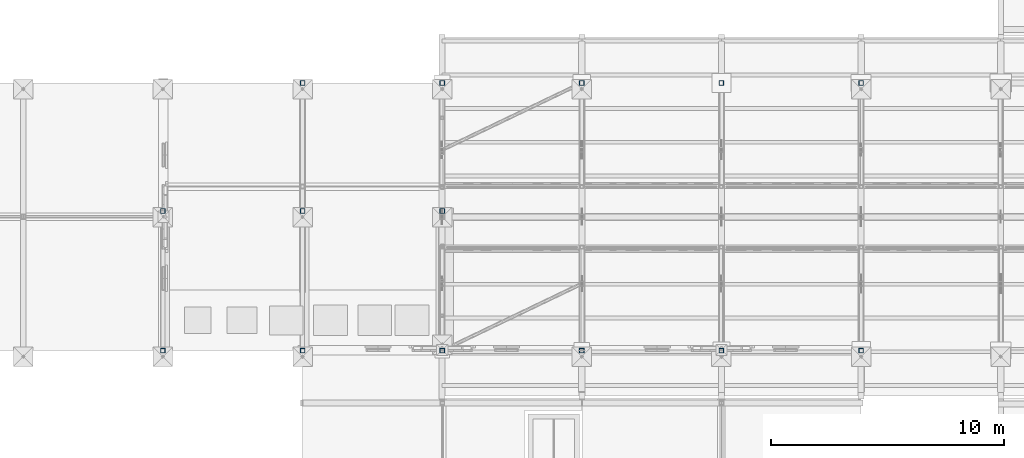
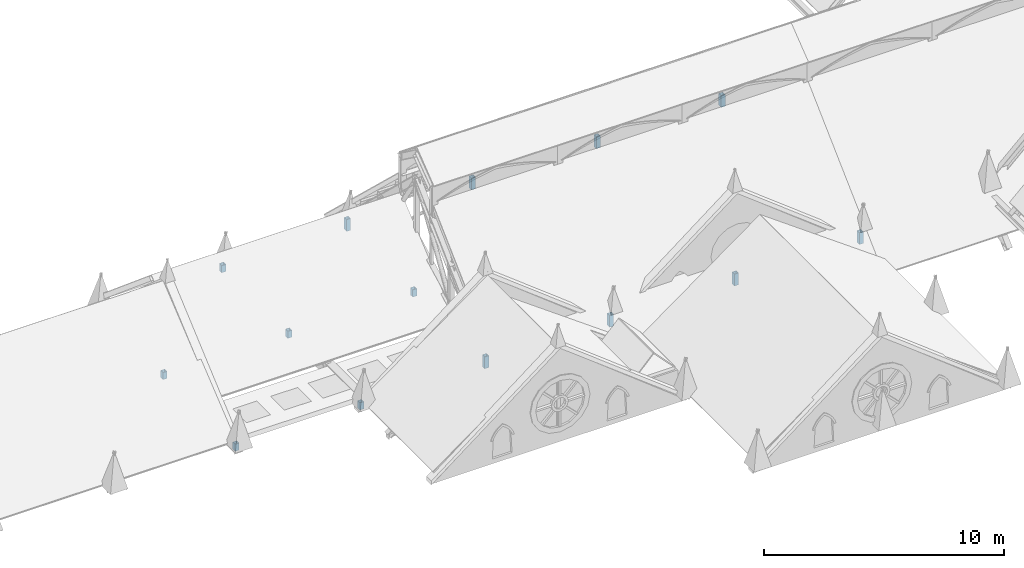
# One storey, part 13 of 33: 14 members.
"""IFC4 building model written with IfcOpenShell, lengths in metres."""

from ifc_helpers import new_model, si_unit, direction, frame, origin, origin_2d, place, context, subcontext, project, spatial, hollow_rectangle, extrude, material, material_profile, profile_set, type_object, element, save


model = new_model("IFC4")

# Units and contexts
model_context = context("Model", 3, precision=1e-05, world=origin(), true_north=direction((0.0, 1.0)))
body_context = subcontext(model_context, "Body", "Model", "MODEL_VIEW")
ifc_project = project(units=[si_unit("LENGTHUNIT", "METRE"), si_unit("AREAUNIT", "SQUARE_METRE"), si_unit("VOLUMEUNIT", "CUBIC_METRE"), si_unit("PLANEANGLEUNIT", "RADIAN"), si_unit("MASSUNIT", "GRAM", prefix="KILO")], contexts=[model_context])

# Site, building, storey
site_placement = place(None, origin())
site = spatial("IfcSite", under=ifc_project, at=site_placement, CompositionType="ELEMENT")
building_placement = place(site_placement, origin())
building = spatial("IfcBuilding", under=site, at=building_placement, Name="Cumevento Cable Car Station", CompositionType="ELEMENT")
storey_placement = place(building_placement, frame((0.0, 0.0, 22.5)))
storey = spatial("IfcBuildingStorey", under=building, at=storey_placement, Name="RF", CompositionType="ELEMENT", Elevation=22.5)

# Members
ifc_material = material(Name="Steel ASTM A572 Grade 50", Category="steel")
ifc_material_profile = material_profile(ifc_material, hollow_rectangle(XDim=0.199951171875, YDim=0.199951171875, WallThickness=0.012451171875, at=origin_2d()), Name="HSS200x200x12.5")
ifc_profile_set = profile_set([ifc_material_profile], Name="Steel ASTM A572 Grade 50")
member_type = type_object("IfcMemberType", Name="Framing Post TD-03 HSS200x200x12.5", PredefinedType="POST", material=ifc_profile_set)
for number, where, z_axis, x_axis, name in (
    (1, (64.0, 45.0, 0.0), (0.0, 0.0, 1.0), (1.0, 0.0, 0.0), "Boarding Hall Truss Heel Post #1"),
    (2, (64.0, 56.5, 0.0), (0.0, 0.0, 1.0), (1.0, 0.0, 0.0), "Boarding Hall Truss Heel Post #2"),
    (3, (70.0, 45.0, 0.0), (0.0, 0.0, 1.0), (1.0, 0.0, 0.0), "Boarding Hall Truss Heel Post #28"),
    (4, (70.0, 56.5, 0.0), (0.0, 0.0, 1.0), (1.0, 0.0, 0.0), "Boarding Hall Truss Heel Post #29"),
    (5, (76.0, 45.0, 0.0), (0.0, 0.0, 1.0), (1.0, 0.0, 0.0), "Boarding Hall Truss Heel Post #51"),
    (6, (76.0, 56.5, 0.0), (0.0, 0.0, 1.0), (1.0, 0.0, 0.0), "Boarding Hall Truss Heel Post #52"),
    (7, (82.0, 45.0, 0.0), (0.0, 0.0, 1.0), (1.0, 0.0, 0.0), "Boarding Hall Truss Heel Post #74"),
    (8, (82.0, 56.5, 0.0), (0.0, 0.0, 1.0), (1.0, 0.0, 0.0), "Boarding Hall Truss Heel Post #75"),
):
    element("IfcMember", number, at=place(storey_placement, frame(where, z_axis=z_axis, x_axis=x_axis)), inside=storey, type_object=member_type, Name=name, PredefinedType="POST", context=body_context, shape_type="SweptSolid", body=[
        extrude(hollow_rectangle(XDim=0.199951171875, YDim=0.199951171875, WallThickness=0.012451171875, at=origin_2d()), origin(), (0.0, 0.0, 1.0), 0.60009765625),
    ])
for number, where, z_axis, x_axis, name in (
    (9, (52.0, 45.0, 0.0), (0.0, 0.0, 1.0), (1.0, 0.0, 0.0), "Monitor Stub Post #750"),
    (10, (52.0, 51.0, 0.0), (0.0, 0.0, 1.0), (1.0, 0.0, 0.0), "Monitor Stub Post #751"),
    (11, (58.0, 45.0, 0.0), (0.0, 0.0, 1.0), (1.0, 0.0, 0.0), "Monitor Stub Post #752"),
    (12, (58.0, 51.0, 0.0), (0.0, 0.0, 1.0), (1.0, 0.0, 0.0), "Monitor Stub Post #753"),
    (13, (64.0, 51.0, 0.0), (0.0, 0.0, 1.0), (1.0, 0.0, 0.0), "Monitor Stub Post #754"),
    (14, (58.0, 56.5, 0.0), (0.0, 0.0, 1.0), (1.0, 0.0, 0.0), "Wing B_V3d Eave Post #755"),
):
    element("IfcMember", number, at=place(storey_placement, frame(where, z_axis=z_axis, x_axis=x_axis)), inside=storey, type_object=member_type, Name=name, PredefinedType="POST", context=body_context, shape_type="SweptSolid", body=[
        extrude(hollow_rectangle(XDim=0.199951171875, YDim=0.199951171875, WallThickness=0.012451171875, at=origin_2d()), origin(), (0.0, 0.0, 1.0), 0.360107421875),
    ])

save(model, "model.ifc")
